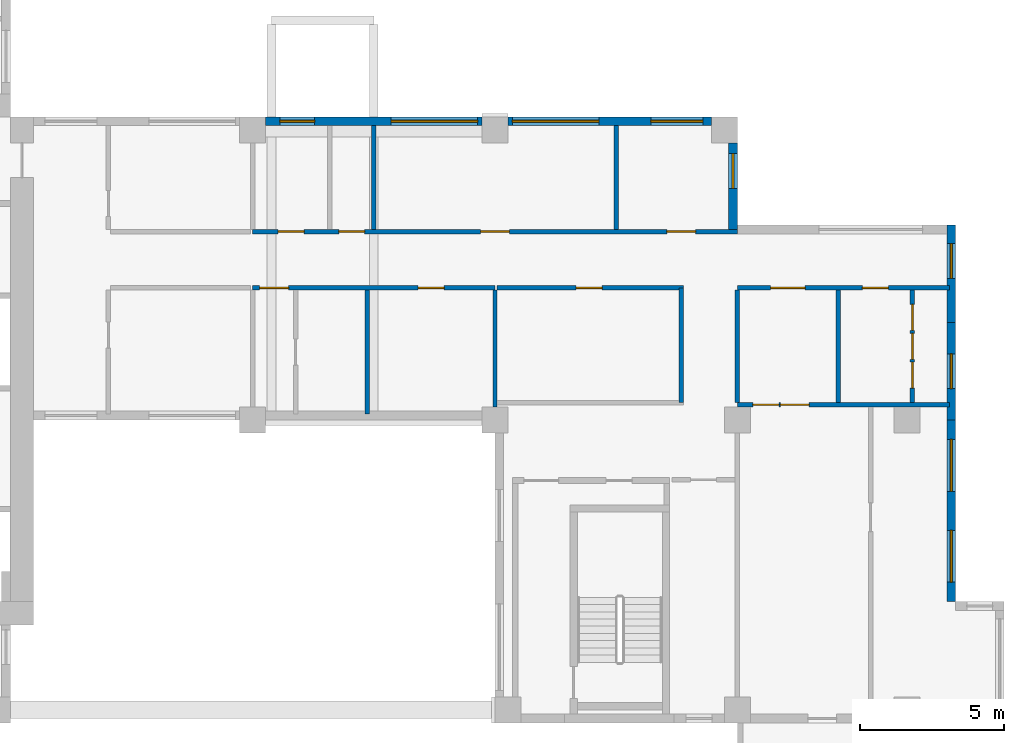
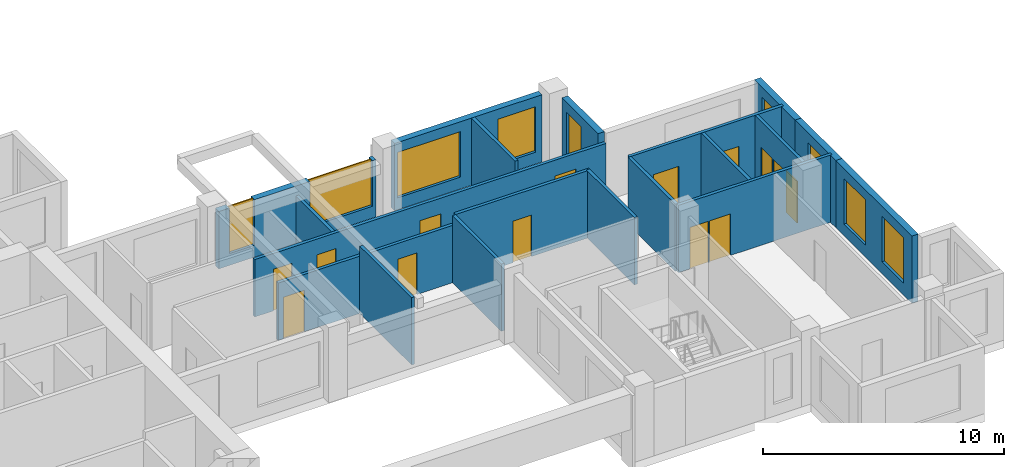
# One storey, part 5 of 11: 19 walls, 14 doors, 9 windows, 23 openings.
"""IFC4 building model written with IfcOpenShell, lengths in metres."""

from ifc_helpers import new_model, si_unit, direction, frame, frame_2d, origin, place, context, subcontext, project, spatial, rectangle, extrude, source, transform, mapped, material, layer, layer_set, type_object, element, fill, save


model = new_model("IFC4")

# Units and contexts
model_context = context("Model", 3, precision=1e-05, world=origin(), true_north=direction((0.0, 1.0)))
body_context = subcontext(model_context, "Body", "Model", "MODEL_VIEW")
ifc_project = project(units=[si_unit("LENGTHUNIT", "METRE"), si_unit("AREAUNIT", "SQUARE_METRE"), si_unit("VOLUMEUNIT", "CUBIC_METRE"), si_unit("PLANEANGLEUNIT", "RADIAN"), si_unit("MASSUNIT", "GRAM", prefix="KILO")], contexts=[model_context])

# Site, building, storey
site_placement = place(None, origin())
site = spatial("IfcSite", under=ifc_project, at=site_placement, CompositionType="ELEMENT")
building_placement = place(site_placement, origin())
building = spatial("IfcBuilding", under=site, at=building_placement, Name="Aurelian Terraces", CompositionType="ELEMENT")
storey_placement = place(building_placement, frame((0.0, 0.0, 212.0)))
storey = spatial("IfcBuildingStorey", under=building, at=storey_placement, Name="L47", CompositionType="ELEMENT", Elevation=212.0)

# Wall, openings, doors
ifc_material_1 = material(Name="Gypsum board on steel studs", Category="steel")
ifc_layer_1 = layer(ifc_material_1, 0.15)
ifc_layer_set_1 = layer_set([ifc_layer_1], Name="Fire partition 150")
wall_type_1 = type_object("IfcWallType", Name="Fire partition 150", PredefinedType="PARTITIONING", material=ifc_layer_set_1)
wall_1_placement = place(storey_placement, frame((29.4, 17.025, 0.0), z_axis=(0.0, 0.0, 1.0), x_axis=(1.0, 0.0, 0.0)))
wall_1 = element("IfcWall", 1, at=wall_1_placement, inside=storey, type_object=wall_type_1, Name="Corridor wall", PredefinedType="PARTITIONING", context=body_context, shape_type="SweptSolid", body=[
    extrude(rectangle(XDim=16.8, YDim=0.15, at=frame_2d((8.4, 0.0))), origin(), (0.0, 0.0, 1.0), 2.9),
])
shared_shape_1 = source(origin(), body_context, "Body", "SweptSolid", [
    extrude(rectangle(XDim=0.9, YDim=2.1, at=frame_2d((0.45, 1.05))), frame((0.0, 0.085, 0.0), z_axis=(0.0, -1.0, 0.0), x_axis=(1.0, 0.0, 0.0)), (0.0, 0.0, 1.0), 0.17),
])
opening_1_placement = place(wall_1_placement, frame((0.8835, 0.0, 0.0)))
opening_1 = element("IfcOpeningElement", 2, at=opening_1_placement, cuts=wall_1, Name="Opening 747012", PredefinedType="OPENING", context=body_context, shape_type="MappedRepresentation", body=[
    mapped(shared_shape_1, transform((0.0, 0.0, 0.0), scale=1.0)),
])
opening_2_placement = place(wall_1_placement, frame((2.9835, 0.0, 0.0)))
opening_2 = element("IfcOpeningElement", 3, at=opening_2_placement, cuts=wall_1, Name="Opening 747013", PredefinedType="OPENING", context=body_context, shape_type="MappedRepresentation", body=[
    mapped(shared_shape_1, transform((0.0, 0.0, 0.0), scale=1.0)),
])
shared_shape_2 = source(origin(), body_context, "Body", "SweptSolid", [
    extrude(rectangle(XDim=1.0, YDim=2.1, at=frame_2d((0.5, 1.05))), frame((0.0, 0.085, 0.0), z_axis=(0.0, -1.0, 0.0), x_axis=(1.0, 0.0, 0.0)), (0.0, 0.0, 1.0), 0.17),
])
opening_3_placement = place(wall_1_placement, frame((7.9, 0.0, 0.0)))
opening_3 = element("IfcOpeningElement", 4, at=opening_3_placement, cuts=wall_1, Name="Opening 747014", PredefinedType="OPENING", context=body_context, shape_type="MappedRepresentation", body=[
    mapped(shared_shape_2, transform((0.0, 0.0, 0.0), scale=1.0)),
])
opening_4_placement = place(wall_1_placement, frame((14.3538, 0.0, 0.0)))
opening_4 = element("IfcOpeningElement", 5, at=opening_4_placement, cuts=wall_1, Name="Opening 747015", PredefinedType="OPENING", context=body_context, shape_type="MappedRepresentation", body=[
    mapped(shared_shape_2, transform((0.0, 0.0, 0.0), scale=1.0)),
])
ifc_material_2 = material(Name="Steel door leaf", Category="steel")
door_type_1 = type_object("IfcDoorType", Name="Entrance fire door 1000x2100 right", OperationType="SINGLE_SWING_RIGHT", PredefinedType="DOOR", material=ifc_material_2)
shared_shape_3 = source(origin(), body_context, "Body", "SweptSolid", [
    extrude(rectangle(XDim=1.0, YDim=2.1, at=frame_2d((0.5, 1.05))), frame((0.0, 0.025, 0.0), z_axis=(0.0, -1.0, 0.0), x_axis=(1.0, 0.0, 0.0)), (0.0, 0.0, 1.0), 0.05),
])
door_1_placement = place(opening_3_placement, origin())
door_1 = element("IfcDoor", 6, at=door_1_placement, inside=storey, type_object=door_type_1, Name="Door 747014", OperationType="SINGLE_SWING_RIGHT", OverallHeight=2.1, OverallWidth=1.0, PredefinedType="DOOR", context=body_context, shape_type="MappedRepresentation", body=[
    mapped(shared_shape_3, transform((0.0, 0.0, 0.0), scale=1.0)),
])
fill(opening_3, door_1)
door_2_placement = place(opening_4_placement, origin())
door_2 = element("IfcDoor", 7, at=door_2_placement, inside=storey, type_object=door_type_1, Name="Door 747015", OperationType="SINGLE_SWING_RIGHT", OverallHeight=2.1, OverallWidth=1.0, PredefinedType="DOOR", context=body_context, shape_type="MappedRepresentation", body=[
    mapped(shared_shape_3, transform((0.0, 0.0, 0.0), scale=1.0)),
])
fill(opening_4, door_2)
door_type_2 = type_object("IfcDoorType", Name="Entrance fire door 900x2100 right", OperationType="SINGLE_SWING_RIGHT", PredefinedType="DOOR", material=ifc_material_2)
shared_shape_4 = source(origin(), body_context, "Body", "SweptSolid", [
    extrude(rectangle(XDim=0.9, YDim=2.1, at=frame_2d((0.45, 1.05))), frame((0.0, 0.025, 0.0), z_axis=(0.0, -1.0, 0.0), x_axis=(1.0, 0.0, 0.0)), (0.0, 0.0, 1.0), 0.05),
])
door_3_placement = place(opening_1_placement, origin())
door_3 = element("IfcDoor", 8, at=door_3_placement, inside=storey, type_object=door_type_2, Name="Door 747012", OperationType="SINGLE_SWING_RIGHT", OverallHeight=2.1, OverallWidth=0.9, PredefinedType="DOOR", context=body_context, shape_type="MappedRepresentation", body=[
    mapped(shared_shape_4, transform((0.0, 0.0, 0.0), scale=1.0)),
])
fill(opening_1, door_3)
door_type_3 = type_object("IfcDoorType", Name="Entrance fire door 900x2100 left", OperationType="SINGLE_SWING_LEFT", PredefinedType="DOOR", material=ifc_material_2)
door_4_placement = place(opening_2_placement, origin())
door_4 = element("IfcDoor", 9, at=door_4_placement, inside=storey, type_object=door_type_3, Name="Door 747013", OperationType="SINGLE_SWING_LEFT", OverallHeight=2.1, OverallWidth=0.9, PredefinedType="DOOR", context=body_context, shape_type="MappedRepresentation", body=[
    mapped(shared_shape_4, transform((0.0, 0.0, 0.0), scale=1.0)),
])
fill(opening_2, door_4)

# Wall, openings, windows
ifc_material_3 = material(Name="Terracotta rainscreen cladding", Category="masonry")
ifc_layer_2 = layer(ifc_material_3, 0.3)
ifc_layer_set_2 = layer_set([ifc_layer_2], Name="EW-300")
wall_type_2 = type_object("IfcWallType", Name="EW-300", PredefinedType="STANDARD", material=ifc_layer_set_2)
shared_shape_5 = source(origin(), body_context, "Body", "SweptSolid", [
    extrude(rectangle(XDim=6.3, YDim=0.3, at=frame_2d((3.15, 0.0))), origin(), (0.0, 0.0, 1.0), 3.4),
])
wall_2_placement = place(storey_placement, frame((53.61, 4.2, 0.0), z_axis=(0.0, 0.0, 1.0), x_axis=(0.0, 1.0, 0.0)))
wall_2 = element("IfcWall", 10, at=wall_2_placement, inside=storey, type_object=wall_type_2, Name="External wall L47 F08.13", PredefinedType="STANDARD", context=body_context, shape_type="MappedRepresentation", body=[
    mapped(shared_shape_5, transform((0.0, 0.0, 0.0), scale=1.0)),
])
shared_shape_6 = source(origin(), body_context, "Body", "SweptSolid", [
    extrude(rectangle(XDim=1.8, YDim=2.3, at=frame_2d((0.9, 1.15))), frame((0.0, 0.16, 0.0), z_axis=(0.0, -1.0, 0.0), x_axis=(1.0, 0.0, 0.0)), (0.0, 0.0, 1.0), 0.32),
])
opening_5_placement = place(wall_2_placement, frame((0.675, 0.0, 0.6)))
opening_5 = element("IfcOpeningElement", 11, at=opening_5_placement, cuts=wall_2, Name="Opening W1823", PredefinedType="OPENING", context=body_context, shape_type="MappedRepresentation", body=[
    mapped(shared_shape_6, transform((0.0, 0.0, 0.0), scale=1.0)),
])
opening_6_placement = place(wall_2_placement, frame((3.825, 0.0, 0.6)))
opening_6 = element("IfcOpeningElement", 12, at=opening_6_placement, cuts=wall_2, Name="Opening W1823", PredefinedType="OPENING", context=body_context, shape_type="MappedRepresentation", body=[
    mapped(shared_shape_6, transform((0.0, 0.0, 0.0), scale=1.0)),
])
ifc_material_4 = material(Name="Clear glazing", Category="glass")
window_type_1 = type_object("IfcWindowType", Name="W-1800x2300", PartitioningType="SINGLE_PANEL", PredefinedType="WINDOW", material=ifc_material_4)
shared_shape_7 = source(origin(), body_context, "Body", "SweptSolid", [
    extrude(rectangle(XDim=1.8, YDim=2.3, at=frame_2d((0.9, 1.15))), frame((0.0, 0.03, 0.0), z_axis=(0.0, -1.0, 0.0), x_axis=(1.0, 0.0, 0.0)), (0.0, 0.0, 1.0), 0.06),
])
window_1_placement = place(opening_5_placement, origin())
window_1 = element("IfcWindow", 13, at=window_1_placement, inside=storey, type_object=window_type_1, Name="Window L47 L47-F08-13-0", OverallHeight=2.3, OverallWidth=1.8, PartitioningType="SINGLE_PANEL", PredefinedType="WINDOW", context=body_context, shape_type="MappedRepresentation", body=[
    mapped(shared_shape_7, transform((0.0, 0.0, 0.0), scale=1.0)),
])
fill(opening_5, window_1)
window_2_placement = place(opening_6_placement, origin())
window_2 = element("IfcWindow", 14, at=window_2_placement, inside=storey, type_object=window_type_1, Name="Window L47 L47-F08-13-1", OverallHeight=2.3, OverallWidth=1.8, PartitioningType="SINGLE_PANEL", PredefinedType="WINDOW", context=body_context, shape_type="MappedRepresentation", body=[
    mapped(shared_shape_7, transform((0.0, 0.0, 0.0), scale=1.0)),
])
fill(opening_6, window_2)

# Wall, opening, window
shared_shape_8 = source(origin(), body_context, "Body", "SweptSolid", [
    extrude(rectangle(XDim=3.375, YDim=0.3, at=frame_2d((1.6875, 0.0))), origin(), (0.0, 0.0, 1.0), 3.4),
])
wall_3_placement = place(storey_placement, frame((53.61, 10.5, 0.0), z_axis=(0.0, 0.0, 1.0), x_axis=(0.0, 1.0, 0.0)))
wall_3 = element("IfcWall", 15, at=wall_3_placement, inside=storey, type_object=wall_type_2, Name="External wall L47 F08.14", PredefinedType="STANDARD", context=body_context, shape_type="MappedRepresentation", body=[
    mapped(shared_shape_8, transform((0.0, 0.0, 0.0), scale=1.0)),
])
shared_shape_9 = source(origin(), body_context, "Body", "SweptSolid", [
    extrude(rectangle(XDim=1.2, YDim=2.3, at=frame_2d((0.6, 1.15))), frame((0.0, 0.16, 0.0), z_axis=(0.0, -1.0, 0.0), x_axis=(1.0, 0.0, 0.0)), (0.0, 0.0, 1.0), 0.32),
])
opening_7_placement = place(wall_3_placement, frame((1.0875, 0.0, 0.6)))
opening_7 = element("IfcOpeningElement", 16, at=opening_7_placement, cuts=wall_3, Name="Opening W1223", PredefinedType="OPENING", context=body_context, shape_type="MappedRepresentation", body=[
    mapped(shared_shape_9, transform((0.0, 0.0, 0.0), scale=1.0)),
])
window_type_2 = type_object("IfcWindowType", Name="W-1200x2300", PartitioningType="SINGLE_PANEL", PredefinedType="WINDOW", material=ifc_material_4)
shared_shape_10 = source(origin(), body_context, "Body", "SweptSolid", [
    extrude(rectangle(XDim=1.2, YDim=2.3, at=frame_2d((0.6, 1.15))), frame((0.0, 0.03, 0.0), z_axis=(0.0, -1.0, 0.0), x_axis=(1.0, 0.0, 0.0)), (0.0, 0.0, 1.0), 0.06),
])
window_3_placement = place(opening_7_placement, origin())
window_3 = element("IfcWindow", 17, at=window_3_placement, inside=storey, type_object=window_type_2, Name="Window L47 L47-F08-14-0", OverallHeight=2.3, OverallWidth=1.2, PartitioningType="SINGLE_PANEL", PredefinedType="WINDOW", context=body_context, shape_type="MappedRepresentation", body=[
    mapped(shared_shape_10, transform((0.0, 0.0, 0.0), scale=1.0)),
])
fill(opening_7, window_3)

wall_4_placement = place(storey_placement, frame((53.61, 13.875, 0.0), z_axis=(0.0, 0.0, 1.0), x_axis=(0.0, 1.0, 0.0)))
wall_4 = element("IfcWall", 18, at=wall_4_placement, inside=storey, type_object=wall_type_2, Name="External wall L47 F08.15", PredefinedType="STANDARD", context=body_context, shape_type="MappedRepresentation", body=[
    mapped(shared_shape_8, transform((0.0, 0.0, 0.0), scale=1.0)),
])
opening_8_placement = place(wall_4_placement, frame((1.5312, 0.0, 0.6)))
opening_8 = element("IfcOpeningElement", 19, at=opening_8_placement, cuts=wall_4, Name="Opening W1223", PredefinedType="OPENING", context=body_context, shape_type="MappedRepresentation", body=[
    mapped(shared_shape_9, transform((0.0, 0.0, 0.0), scale=1.0)),
])
window_4_placement = place(opening_8_placement, origin())
window_4 = element("IfcWindow", 20, at=window_4_placement, inside=storey, type_object=window_type_2, Name="Window L47 L47-F08-15-P0", OverallHeight=2.3, OverallWidth=1.2, PartitioningType="SINGLE_PANEL", PredefinedType="WINDOW", context=body_context, shape_type="MappedRepresentation", body=[
    mapped(shared_shape_10, transform((0.0, 0.0, 0.0), scale=1.0)),
])
fill(opening_8, window_4)

shared_shape_11 = source(origin(), body_context, "Body", "SweptSolid", [
    extrude(rectangle(XDim=3.0, YDim=0.3, at=frame_2d((1.5, 0.0))), origin(), (0.0, 0.0, 1.0), 3.4),
])
wall_5_placement = place(storey_placement, frame((46.05, 17.1, 0.0), z_axis=(0.0, 0.0, 1.0), x_axis=(0.0, 1.0, 0.0)))
wall_5 = element("IfcWall", 21, at=wall_5_placement, inside=storey, type_object=wall_type_2, Name="External wall L47 F10.17", PredefinedType="STANDARD", context=body_context, shape_type="MappedRepresentation", body=[
    mapped(shared_shape_11, transform((0.0, 0.0, 0.0), scale=1.0)),
])
opening_9_placement = place(wall_5_placement, frame((1.425, 0.0, 0.6)))
opening_9 = element("IfcOpeningElement", 22, at=opening_9_placement, cuts=wall_5, Name="Opening W1223", PredefinedType="OPENING", context=body_context, shape_type="MappedRepresentation", body=[
    mapped(shared_shape_9, transform((0.0, 0.0, 0.0), scale=1.0)),
])
window_5_placement = place(opening_9_placement, origin())
window_5 = element("IfcWindow", 23, at=window_5_placement, inside=storey, type_object=window_type_2, Name="Window L47 L47-F10-17-0", OverallHeight=2.3, OverallWidth=1.2, PartitioningType="SINGLE_PANEL", PredefinedType="WINDOW", context=body_context, shape_type="MappedRepresentation", body=[
    mapped(shared_shape_10, transform((0.0, 0.0, 0.0), scale=1.0)),
])
fill(opening_9, window_5)

# Wall, openings, windows
shared_shape_12 = source(origin(), body_context, "Body", "SweptSolid", [
    extrude(rectangle(XDim=7.05, YDim=0.3, at=frame_2d((3.525, 0.0))), origin(), (0.0, 0.0, 1.0), 3.4),
])
wall_6_placement = place(storey_placement, frame((45.3, 20.85, 0.0), z_axis=(0.0, 0.0, 1.0), x_axis=(-1.0, 0.0, 0.0)))
wall_6 = element("IfcWall", 24, at=wall_6_placement, inside=storey, type_object=wall_type_2, Name="External wall L47 F11.18", PredefinedType="STANDARD", context=body_context, shape_type="MappedRepresentation", body=[
    mapped(shared_shape_12, transform((0.0, 0.0, 0.0), scale=1.0)),
])
opening_10_placement = place(wall_6_placement, frame((0.3, 0.0, 0.6)))
opening_10 = element("IfcOpeningElement", 25, at=opening_10_placement, cuts=wall_6, Name="Opening W1823", PredefinedType="OPENING", context=body_context, shape_type="MappedRepresentation", body=[
    mapped(shared_shape_6, transform((0.0, 0.0, 0.0), scale=1.0)),
])
shared_shape_13 = source(origin(), body_context, "Body", "SweptSolid", [
    extrude(rectangle(XDim=3.0, YDim=2.3, at=frame_2d((1.5, 1.15))), frame((0.0, 0.16, 0.0), z_axis=(0.0, -1.0, 0.0), x_axis=(1.0, 0.0, 0.0)), (0.0, 0.0, 1.0), 0.32),
])
opening_11_placement = place(wall_6_placement, frame((3.9, 0.0, 0.6)))
opening_11 = element("IfcOpeningElement", 26, at=opening_11_placement, cuts=wall_6, Name="Opening W3023", PredefinedType="OPENING", context=body_context, shape_type="MappedRepresentation", body=[
    mapped(shared_shape_13, transform((0.0, 0.0, 0.0), scale=1.0)),
])
window_type_3 = type_object("IfcWindowType", Name="W-3000x2300", PartitioningType="SINGLE_PANEL", PredefinedType="WINDOW", material=ifc_material_4)
shared_shape_14 = source(origin(), body_context, "Body", "SweptSolid", [
    extrude(rectangle(XDim=3.0, YDim=2.3, at=frame_2d((1.5, 1.15))), frame((0.0, 0.03, 0.0), z_axis=(0.0, -1.0, 0.0), x_axis=(1.0, 0.0, 0.0)), (0.0, 0.0, 1.0), 0.06),
])
window_6_placement = place(opening_11_placement, origin())
window_6 = element("IfcWindow", 27, at=window_6_placement, inside=storey, type_object=window_type_3, Name="Window L47 L47-F11-18-1", OverallHeight=2.3, OverallWidth=3.0, PartitioningType="SINGLE_PANEL", PredefinedType="WINDOW", context=body_context, shape_type="MappedRepresentation", body=[
    mapped(shared_shape_14, transform((0.0, 0.0, 0.0), scale=1.0)),
])
fill(opening_11, window_6)
window_7_placement = place(opening_10_placement, origin())
window_7 = element("IfcWindow", 28, at=window_7_placement, inside=storey, type_object=window_type_1, Name="Window L47 L47-F11-18-0", OverallHeight=2.3, OverallWidth=1.8, PartitioningType="SINGLE_PANEL", PredefinedType="WINDOW", context=body_context, shape_type="MappedRepresentation", body=[
    mapped(shared_shape_7, transform((0.0, 0.0, 0.0), scale=1.0)),
])
fill(opening_10, window_7)

shared_shape_15 = source(origin(), body_context, "Body", "SweptSolid", [
    extrude(rectangle(XDim=7.5, YDim=0.3, at=frame_2d((3.75, 0.0))), origin(), (0.0, 0.0, 1.0), 2.9),
])
wall_7_placement = place(storey_placement, frame((37.35, 20.85, 0.0), z_axis=(0.0, 0.0, 1.0), x_axis=(-1.0, 0.0, 0.0)))
wall_7 = element("IfcWall", 29, at=wall_7_placement, inside=storey, type_object=wall_type_2, Name="External wall L47 F11.19", PredefinedType="STANDARD", context=body_context, shape_type="MappedRepresentation", body=[
    mapped(shared_shape_15, transform((0.0, 0.0, 0.0), scale=1.0)),
])
opening_12_placement = place(wall_7_placement, frame((0.15, 0.0, 0.6)))
opening_12 = element("IfcOpeningElement", 30, at=opening_12_placement, cuts=wall_7, Name="Opening W3023", PredefinedType="OPENING", context=body_context, shape_type="MappedRepresentation", body=[
    mapped(shared_shape_13, transform((0.0, 0.0, 0.0), scale=1.0)),
])
opening_13_placement = place(wall_7_placement, frame((5.804, 0.0, 0.6)))
opening_13 = element("IfcOpeningElement", 31, at=opening_13_placement, cuts=wall_7, Name="Opening W1223", PredefinedType="OPENING", context=body_context, shape_type="MappedRepresentation", body=[
    mapped(shared_shape_9, transform((0.0, 0.0, 0.0), scale=1.0)),
])
window_8_placement = place(opening_12_placement, origin())
window_8 = element("IfcWindow", 32, at=window_8_placement, inside=storey, type_object=window_type_3, Name="Window L47 L47-F11-19-0", OverallHeight=2.3, OverallWidth=3.0, PartitioningType="SINGLE_PANEL", PredefinedType="WINDOW", context=body_context, shape_type="MappedRepresentation", body=[
    mapped(shared_shape_14, transform((0.0, 0.0, 0.0), scale=1.0)),
])
fill(opening_12, window_8)
window_9_placement = place(opening_13_placement, origin())
window_9 = element("IfcWindow", 33, at=window_9_placement, inside=storey, type_object=window_type_2, Name="Window L47 L47-F11-19-1", OverallHeight=2.3, OverallWidth=1.2, PartitioningType="SINGLE_PANEL", PredefinedType="WINDOW", context=body_context, shape_type="MappedRepresentation", body=[
    mapped(shared_shape_10, transform((0.0, 0.0, 0.0), scale=1.0)),
])
fill(opening_13, window_9)

# Wall, opening, door
shared_shape_16 = source(origin(), body_context, "Body", "SweptSolid", [
    extrude(rectangle(XDim=6.45, YDim=0.15, at=frame_2d((3.225, 0.0))), origin(), (0.0, 0.0, 1.0), 3.4),
])
wall_8_placement = place(storey_placement, frame((44.325, 15.075, 0.0), z_axis=(0.0, 0.0, 1.0), x_axis=(-1.0, 0.0, 0.0)))
wall_8 = element("IfcWall", 34, at=wall_8_placement, inside=storey, type_object=wall_type_1, Name="Corridor wall", PredefinedType="PARTITIONING", context=body_context, shape_type="MappedRepresentation", body=[
    mapped(shared_shape_16, transform((0.0, 0.0, 0.0), scale=1.0)),
])
opening_14_placement = place(wall_8_placement, frame((2.8125, 0.0, 0.0)))
opening_14 = element("IfcOpeningElement", 35, at=opening_14_placement, cuts=wall_8, Name="Opening 747003", PredefinedType="OPENING", context=body_context, shape_type="MappedRepresentation", body=[
    mapped(shared_shape_1, transform((0.0, 0.0, 0.0), scale=1.0)),
])
ifc_material_5 = material(Name="Timber door leaf", Category="wood")
door_type_4 = type_object("IfcDoorType", Name="Room door 900x2100 left", OperationType="SINGLE_SWING_LEFT", PredefinedType="DOOR", material=ifc_material_5)
door_5_placement = place(opening_14_placement, origin())
door_5 = element("IfcDoor", 36, at=door_5_placement, inside=storey, type_object=door_type_4, Name="Door 747003", OperationType="SINGLE_SWING_LEFT", OverallHeight=2.1, OverallWidth=0.9, PredefinedType="DOOR", context=body_context, shape_type="MappedRepresentation", body=[
    mapped(shared_shape_4, transform((0.0, 0.0, 0.0), scale=1.0)),
])
fill(opening_14, door_5)

# Wall
ifc_layer_3 = layer(ifc_material_1, 0.15)
ifc_layer_set_3 = layer_set([ifc_layer_3], Name="Partition 150")
wall_type_3 = type_object("IfcWallType", Name="Partition 150", PredefinedType="PARTITIONING", material=ifc_layer_set_3)
shared_shape_17 = source(origin(), body_context, "Body", "SweptSolid", [
    extrude(rectangle(XDim=3.9, YDim=0.15, at=frame_2d((1.95, 0.0))), origin(), (0.0, 0.0, 1.0), 3.4),
])
wall_9_placement = place(storey_placement, frame((49.6978, 11.1, 0.0), z_axis=(0.0, 0.0, 1.0), x_axis=(0.0, 1.0, 0.0)))
element("IfcWall", 37, at=wall_9_placement, inside=storey, type_object=wall_type_3, Name="Partition", PredefinedType="PARTITIONING", context=body_context, shape_type="MappedRepresentation", body=[
    mapped(shared_shape_17, transform((0.0, 0.0, 0.0), scale=1.0)),
])

# Wall, openings, doors
wall_10_placement = place(storey_placement, frame((52.2649, 11.1, 0.0), z_axis=(0.0, 0.0, 1.0), x_axis=(0.0, 1.0, 0.0)))
wall_10 = element("IfcWall", 38, at=wall_10_placement, inside=storey, type_object=wall_type_3, Name="Partition", PredefinedType="PARTITIONING", context=body_context, shape_type="MappedRepresentation", body=[
    mapped(shared_shape_17, transform((0.0, 0.0, 0.0), scale=1.0)),
])
opening_15_placement = place(wall_10_placement, frame((1.5, 0.0, 0.0)))
opening_15 = element("IfcOpeningElement", 39, at=opening_15_placement, cuts=wall_10, Name="Opening 747035", PredefinedType="OPENING", context=body_context, shape_type="MappedRepresentation", body=[
    mapped(shared_shape_1, transform((0.0, 0.0, 0.0), scale=1.0)),
])
opening_16_placement = place(wall_10_placement, frame((2.5, 0.0, 0.0)))
opening_16 = element("IfcOpeningElement", 40, at=opening_16_placement, cuts=wall_10, Name="Opening 747036", PredefinedType="OPENING", context=body_context, shape_type="MappedRepresentation", body=[
    mapped(shared_shape_1, transform((0.0, 0.0, 0.0), scale=1.0)),
])
opening_17_placement = place(wall_10_placement, frame((0.5, 0.0, 0.0)))
opening_17 = element("IfcOpeningElement", 41, at=opening_17_placement, cuts=wall_10, Name="Opening 747037", PredefinedType="OPENING", context=body_context, shape_type="MappedRepresentation", body=[
    mapped(shared_shape_1, transform((0.0, 0.0, 0.0), scale=1.0)),
])
door_6_placement = place(opening_15_placement, origin())
door_6 = element("IfcDoor", 42, at=door_6_placement, inside=storey, type_object=door_type_4, Name="Door 747035", OperationType="SINGLE_SWING_LEFT", OverallHeight=2.1, OverallWidth=0.9, PredefinedType="DOOR", context=body_context, shape_type="MappedRepresentation", body=[
    mapped(shared_shape_4, transform((0.0, 0.0, 0.0), scale=1.0)),
])
fill(opening_15, door_6)
door_7_placement = place(opening_16_placement, origin())
door_7 = element("IfcDoor", 43, at=door_7_placement, inside=storey, type_object=door_type_3, Name="Door 747036", OperationType="SINGLE_SWING_LEFT", OverallHeight=2.1, OverallWidth=0.9, PredefinedType="DOOR", context=body_context, shape_type="MappedRepresentation", body=[
    mapped(shared_shape_4, transform((0.0, 0.0, 0.0), scale=1.0)),
])
fill(opening_16, door_7)
door_8_placement = place(opening_17_placement, origin())
door_8 = element("IfcDoor", 44, at=door_8_placement, inside=storey, type_object=door_type_3, Name="Door 747037", OperationType="SINGLE_SWING_LEFT", OverallHeight=2.1, OverallWidth=0.9, PredefinedType="DOOR", context=body_context, shape_type="MappedRepresentation", body=[
    mapped(shared_shape_4, transform((0.0, 0.0, 0.0), scale=1.0)),
])
fill(opening_17, door_8)

# Walls
wall_11_placement = place(storey_placement, frame((46.2, 11.1, 0.0), z_axis=(0.0, 0.0, 1.0), x_axis=(0.0, 1.0, 0.0)))
element("IfcWall", 45, at=wall_11_placement, inside=storey, type_object=wall_type_1, Name="Party wall", PredefinedType="PARTITIONING", context=body_context, shape_type="MappedRepresentation", body=[
    mapped(shared_shape_17, transform((0.0, 0.0, 0.0), scale=1.0)),
])
shared_shape_18 = source(origin(), body_context, "Body", "SweptSolid", [
    extrude(rectangle(XDim=3.6, YDim=0.15, at=frame_2d((1.8, 0.0))), origin(), (0.0, 0.0, 1.0), 3.4),
])
wall_12_placement = place(storey_placement, frame((42.0, 17.1, 0.0), z_axis=(0.0, 0.0, 1.0), x_axis=(0.0, 1.0, 0.0)))
element("IfcWall", 46, at=wall_12_placement, inside=storey, type_object=wall_type_1, Name="Party wall", PredefinedType="PARTITIONING", context=body_context, shape_type="MappedRepresentation", body=[
    mapped(shared_shape_18, transform((0.0, 0.0, 0.0), scale=1.0)),
])
shared_shape_19 = source(origin(), body_context, "Body", "SweptSolid", [
    extrude(rectangle(XDim=4.051, YDim=0.15, at=frame_2d((2.0255, 0.0))), origin(), (0.0, 0.0, 1.0), 3.4),
])
wall_13_placement = place(storey_placement, frame((37.8, 10.949, 0.0), z_axis=(0.0, 0.0, 1.0), x_axis=(0.0, 1.0, 0.0)))
element("IfcWall", 47, at=wall_13_placement, inside=storey, type_object=wall_type_1, Name="Party wall", PredefinedType="PARTITIONING", context=body_context, shape_type="MappedRepresentation", body=[
    mapped(shared_shape_19, transform((0.0, 0.0, 0.0), scale=1.0)),
])
shared_shape_20 = source(origin(), body_context, "Body", "SweptSolid", [
    extrude(rectangle(XDim=3.975, YDim=0.15, at=frame_2d((1.9875, 0.0))), origin(), (0.0, 0.0, 1.0), 3.4),
])
wall_14_placement = place(storey_placement, frame((44.25, 11.1, 0.0), z_axis=(0.0, 0.0, 1.0), x_axis=(0.0, 1.0, 0.0)))
element("IfcWall", 48, at=wall_14_placement, inside=storey, type_object=wall_type_3, Name="Partition", PredefinedType="PARTITIONING", context=body_context, shape_type="MappedRepresentation", body=[
    mapped(shared_shape_20, transform((0.0, 0.0, 0.0), scale=1.0)),
])
shared_shape_21 = source(origin(), body_context, "Body", "SweptSolid", [
    extrude(rectangle(XDim=4.295, YDim=0.15, at=frame_2d((2.1475, 0.0))), origin(), (0.0, 0.0, 1.0), 3.4),
])
wall_15_placement = place(storey_placement, frame((33.3665, 10.705, 0.0), z_axis=(0.0, 0.0, 1.0), x_axis=(0.0, 1.0, 0.0)))
element("IfcWall", 49, at=wall_15_placement, inside=storey, type_object=wall_type_3, Name="Partition", PredefinedType="PARTITIONING", context=body_context, shape_type="MappedRepresentation", body=[
    mapped(shared_shape_21, transform((0.0, 0.0, 0.0), scale=1.0)),
])
shared_shape_22 = source(origin(), body_context, "Body", "SweptSolid", [
    extrude(rectangle(XDim=3.6, YDim=0.15, at=frame_2d((1.8, 0.0))), origin(), (0.0, 0.0, 1.0), 2.4),
])
wall_16_placement = place(storey_placement, frame((33.6, 17.1, 0.0), z_axis=(0.0, 0.0, 1.0), x_axis=(0.0, 1.0, 0.0)))
element("IfcWall", 50, at=wall_16_placement, inside=storey, type_object=wall_type_1, Name="Party wall", PredefinedType="PARTITIONING", context=body_context, shape_type="MappedRepresentation", body=[
    mapped(shared_shape_22, transform((0.0, 0.0, 0.0), scale=1.0)),
])

# Wall, openings, doors
shared_shape_23 = source(origin(), body_context, "Body", "SweptSolid", [
    extrude(rectangle(XDim=8.4, YDim=0.15, at=frame_2d((4.2, 0.0))), origin(), (0.0, 0.0, 1.0), 2.9),
])
wall_17_placement = place(storey_placement, frame((37.8, 15.075, 0.0), z_axis=(0.0, 0.0, 1.0), x_axis=(-1.0, 0.0, 0.0)))
wall_17 = element("IfcWall", 51, at=wall_17_placement, inside=storey, type_object=wall_type_1, Name="Corridor wall", PredefinedType="PARTITIONING", context=body_context, shape_type="MappedRepresentation", body=[
    mapped(shared_shape_23, transform((0.0, 0.0, 0.0), scale=1.0)),
])
opening_18_placement = place(wall_17_placement, frame((7.155, 0.0, 0.0)))
opening_18 = element("IfcOpeningElement", 52, at=opening_18_placement, cuts=wall_17, Name="Opening 747005", PredefinedType="OPENING", context=body_context, shape_type="MappedRepresentation", body=[
    mapped(shared_shape_2, transform((0.0, 0.0, 0.0), scale=1.0)),
])
opening_19_placement = place(wall_17_placement, frame((1.7667, 0.0, 0.0)))
opening_19 = element("IfcOpeningElement", 53, at=opening_19_placement, cuts=wall_17, Name="Opening 747006", PredefinedType="OPENING", context=body_context, shape_type="MappedRepresentation", body=[
    mapped(shared_shape_1, transform((0.0, 0.0, 0.0), scale=1.0)),
])
door_9_placement = place(opening_18_placement, origin())
door_9 = element("IfcDoor", 54, at=door_9_placement, inside=storey, type_object=door_type_1, Name="Door 747005", OperationType="SINGLE_SWING_RIGHT", OverallHeight=2.1, OverallWidth=1.0, PredefinedType="DOOR", context=body_context, shape_type="MappedRepresentation", body=[
    mapped(shared_shape_3, transform((0.0, 0.0, 0.0), scale=1.0)),
])
fill(opening_18, door_9)
door_10_placement = place(opening_19_placement, origin())
door_10 = element("IfcDoor", 55, at=door_10_placement, inside=storey, type_object=door_type_3, Name="Door 747006", OperationType="SINGLE_SWING_LEFT", OverallHeight=2.1, OverallWidth=0.9, PredefinedType="DOOR", context=body_context, shape_type="MappedRepresentation", body=[
    mapped(shared_shape_4, transform((0.0, 0.0, 0.0), scale=1.0)),
])
fill(opening_19, door_10)

shared_shape_24 = source(origin(), body_context, "Body", "SweptSolid", [
    extrude(rectangle(XDim=7.355, YDim=0.15, at=frame_2d((3.6775, 0.0))), origin(), (0.0, 0.0, 1.0), 3.4),
])
wall_18_placement = place(storey_placement, frame((53.555, 11.025, 0.0), z_axis=(0.0, 0.0, 1.0), x_axis=(-1.0, 0.0, 0.0)))
wall_18 = element("IfcWall", 56, at=wall_18_placement, inside=storey, type_object=wall_type_3, Name="Partition", PredefinedType="PARTITIONING", context=body_context, shape_type="MappedRepresentation", body=[
    mapped(shared_shape_24, transform((0.0, 0.0, 0.0), scale=1.0)),
])
opening_20_placement = place(wall_18_placement, frame((4.8686, 0.0, 0.0)))
opening_20 = element("IfcOpeningElement", 57, at=opening_20_placement, cuts=wall_18, Name="Opening 747008", PredefinedType="OPENING", context=body_context, shape_type="MappedRepresentation", body=[
    mapped(shared_shape_2, transform((0.0, 0.0, 0.0), scale=1.0)),
])
opening_21_placement = place(wall_18_placement, frame((5.919, 0.0, 0.0)))
opening_21 = element("IfcOpeningElement", 58, at=opening_21_placement, cuts=wall_18, Name="Opening 747009", PredefinedType="OPENING", context=body_context, shape_type="MappedRepresentation", body=[
    mapped(shared_shape_1, transform((0.0, 0.0, 0.0), scale=1.0)),
])
door_type_5 = type_object("IfcDoorType", Name="Room door 1000x2100 left", OperationType="SINGLE_SWING_LEFT", PredefinedType="DOOR", material=ifc_material_5)
door_11_placement = place(opening_20_placement, origin())
door_11 = element("IfcDoor", 59, at=door_11_placement, inside=storey, type_object=door_type_5, Name="Door 747008", OperationType="SINGLE_SWING_LEFT", OverallHeight=2.1, OverallWidth=1.0, PredefinedType="DOOR", context=body_context, shape_type="MappedRepresentation", body=[
    mapped(shared_shape_3, transform((0.0, 0.0, 0.0), scale=1.0)),
])
fill(opening_20, door_11)
door_type_6 = type_object("IfcDoorType", Name="Room door 900x2100 right", OperationType="SINGLE_SWING_RIGHT", PredefinedType="DOOR", material=ifc_material_5)
door_12_placement = place(opening_21_placement, origin())
door_12 = element("IfcDoor", 60, at=door_12_placement, inside=storey, type_object=door_type_6, Name="Door 747009", OperationType="SINGLE_SWING_RIGHT", OverallHeight=2.1, OverallWidth=0.9, PredefinedType="DOOR", context=body_context, shape_type="MappedRepresentation", body=[
    mapped(shared_shape_4, transform((0.0, 0.0, 0.0), scale=1.0)),
])
fill(opening_21, door_12)

wall_19_placement = place(storey_placement, frame((53.555, 15.075, 0.0), z_axis=(0.0, 0.0, 1.0), x_axis=(-1.0, 0.0, 0.0)))
wall_19 = element("IfcWall", 61, at=wall_19_placement, inside=storey, type_object=wall_type_1, Name="Corridor wall", PredefinedType="PARTITIONING", context=body_context, shape_type="MappedRepresentation", body=[
    mapped(shared_shape_24, transform((0.0, 0.0, 0.0), scale=1.0)),
])
shared_shape_25 = source(origin(), body_context, "Body", "SweptSolid", [
    extrude(rectangle(XDim=1.2, YDim=2.1, at=frame_2d((0.6, 1.05))), frame((0.0, 0.085, 0.0), z_axis=(0.0, -1.0, 0.0), x_axis=(1.0, 0.0, 0.0)), (0.0, 0.0, 1.0), 0.17),
])
opening_22_placement = place(wall_19_placement, frame((5.0061, 0.0, 0.0)))
opening_22 = element("IfcOpeningElement", 62, at=opening_22_placement, cuts=wall_19, Name="Opening 747007", PredefinedType="OPENING", context=body_context, shape_type="MappedRepresentation", body=[
    mapped(shared_shape_25, transform((0.0, 0.0, 0.0), scale=1.0)),
])
opening_23_placement = place(wall_19_placement, frame((2.1237, 0.0, 0.0)))
opening_23 = element("IfcOpeningElement", 63, at=opening_23_placement, cuts=wall_19, Name="Opening 747011", PredefinedType="OPENING", context=body_context, shape_type="MappedRepresentation", body=[
    mapped(shared_shape_1, transform((0.0, 0.0, 0.0), scale=1.0)),
])
door_13_placement = place(opening_23_placement, origin())
door_13 = element("IfcDoor", 64, at=door_13_placement, inside=storey, type_object=door_type_2, Name="Door 747011", OperationType="SINGLE_SWING_RIGHT", OverallHeight=2.1, OverallWidth=0.9, PredefinedType="DOOR", context=body_context, shape_type="MappedRepresentation", body=[
    mapped(shared_shape_4, transform((0.0, 0.0, 0.0), scale=1.0)),
])
fill(opening_23, door_13)
door_type_7 = type_object("IfcDoorType", Name="Entrance fire door 1200x2100 right", OperationType="SINGLE_SWING_RIGHT", PredefinedType="DOOR", material=ifc_material_2)
shared_shape_26 = source(origin(), body_context, "Body", "SweptSolid", [
    extrude(rectangle(XDim=1.2, YDim=2.1, at=frame_2d((0.6, 1.05))), frame((0.0, 0.025, 0.0), z_axis=(0.0, -1.0, 0.0), x_axis=(1.0, 0.0, 0.0)), (0.0, 0.0, 1.0), 0.05),
])
door_14_placement = place(opening_22_placement, origin())
door_14 = element("IfcDoor", 65, at=door_14_placement, inside=storey, type_object=door_type_7, Name="Door 747007", OperationType="SINGLE_SWING_RIGHT", OverallHeight=2.1, OverallWidth=1.2, PredefinedType="DOOR", context=body_context, shape_type="MappedRepresentation", body=[
    mapped(shared_shape_26, transform((0.0, 0.0, 0.0), scale=1.0)),
])
fill(opening_22, door_14)

save(model, "model.ifc")
